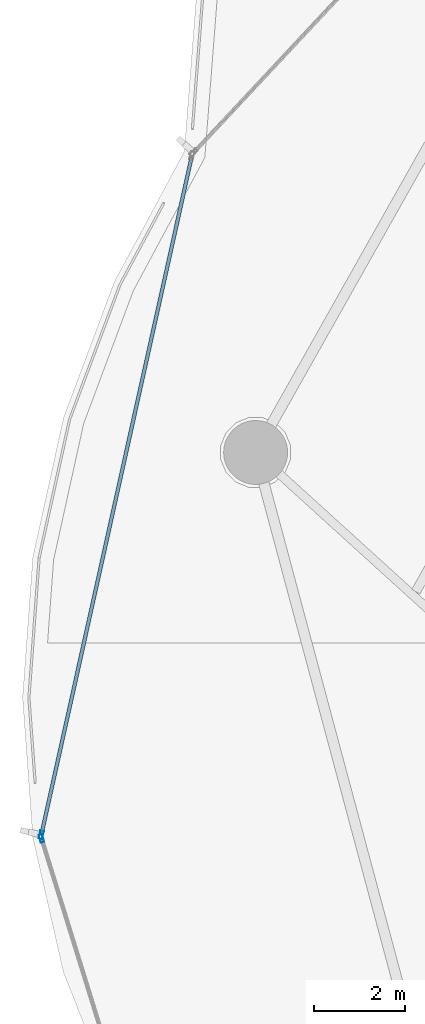
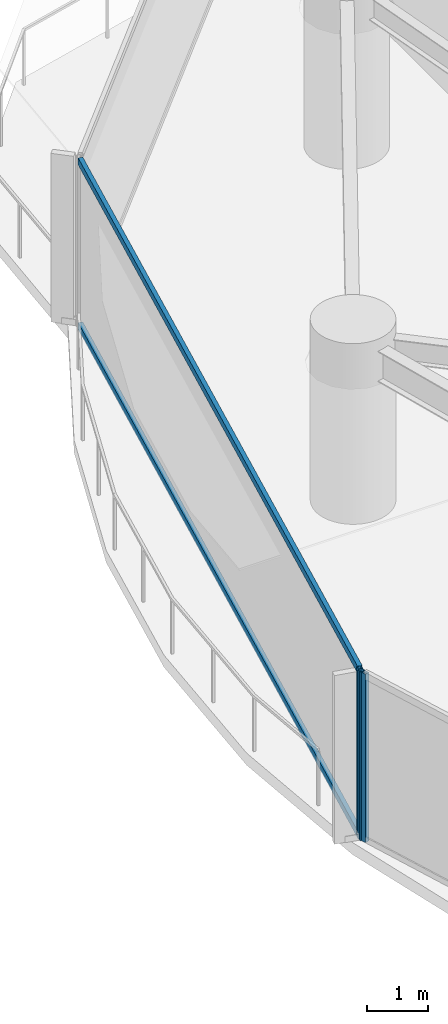
# One storey, part 8 of 33: 4 members, 2 elements without a shape of their own.
"""IFC4 building model written with IfcOpenShell, lengths in metres."""

from ifc_helpers import new_model, si_unit, direction, frame, origin, origin_2d, place, context, subcontext, project, spatial, hollow_rectangle, extrude, material, layer, layer_set, material_profile, profile_set, type_object, element, aggregate, save


model = new_model("IFC4")

# Units and contexts
model_context = context("Model", 3, precision=1e-05, world=origin(), true_north=direction((0.0, 1.0)))
body_context = subcontext(model_context, "Body", "Model", "MODEL_VIEW")
ifc_project = project(units=[si_unit("LENGTHUNIT", "METRE"), si_unit("AREAUNIT", "SQUARE_METRE"), si_unit("VOLUMEUNIT", "CUBIC_METRE"), si_unit("PLANEANGLEUNIT", "RADIAN"), si_unit("MASSUNIT", "GRAM", prefix="KILO")], contexts=[model_context])

# Site, building, storey
site_placement = place(None, origin())
site = spatial("IfcSite", under=ifc_project, at=site_placement, CompositionType="ELEMENT")
building_placement = place(site_placement, origin())
building = spatial("IfcBuilding", under=site, at=building_placement, Name="Kazevale Care Tower and Concert Hall", CompositionType="ELEMENT")
storey_placement = place(building_placement, frame((0.0, 0.0, 52.800048828125)))
storey = spatial("IfcBuildingStorey", under=building, at=storey_placement, Name="L13", CompositionType="ELEMENT", Elevation=52.800048828125)

# Curtain wall, member
ifc_material_1 = material(Name="Aluminium 6063-T6 and Low-E Glass", Category="aluminium")
ifc_layer = layer(ifc_material_1, 0.179931640625)
ifc_layer_set = layer_set([ifc_layer], Name="Aluminium 6063-T6 and Low-E Glass")
curtain_wall_type = type_object("IfcCurtainWallType", Name="Waist & Upper Residential Curtain Wall CW-4", PredefinedType="NOTDEFINED", material=ifc_layer_set)
curtain_wall_1_placement = place(storey_placement, origin())
curtain_wall_1 = element("IfcCurtainWall", 1, at=curtain_wall_1_placement, inside=storey, type_object=curtain_wall_type, Name="cw:L13:f12", PredefinedType="NOTDEFINED")
ifc_material_2 = material(Name="Aluminium 6063-T6", Category="aluminium")
ifc_material_profile_1 = material_profile(ifc_material_2, hollow_rectangle(XDim=0.080078125, YDim=0.179931640625, WallThickness=0.0048828125, at=origin_2d()), Name="ALU80x180x5")
ifc_profile_set_1 = profile_set([ifc_material_profile_1], Name="Aluminium 6063-T6")
member_type_1 = type_object("IfcMemberType", Name="CW-4 Mullion ALU80x180x5", PredefinedType="MULLION", material=ifc_profile_set_1)
member_1_placement = place(storey_placement, frame((9.61572265625, 34.919677734375, 0.0), z_axis=(0.0, 0.0, 1.0), x_axis=(-0.955157326175, -0.296098771112, 0.0)))
member_1 = element("IfcMember", 2, at=member_1_placement, type_object=member_type_1, Name="CW-4 mullion 2", PredefinedType="MULLION", context=body_context, shape_type="SweptSolid", body=[
    extrude(hollow_rectangle(XDim=0.080078125, YDim=0.179931640625, WallThickness=0.0048828125, at=origin_2d()), origin(), (0.0, 0.0, 1.0), 3.35986328125),
])
aggregate(curtain_wall_1, [member_1])

# Curtain wall, members
curtain_wall_2_placement = place(storey_placement, origin())
curtain_wall_2 = element("IfcCurtainWall", 3, at=curtain_wall_2_placement, inside=storey, type_object=curtain_wall_type, Name="cw:L13:f13", PredefinedType="NOTDEFINED")
member_2_placement = place(storey_placement, frame((9.612548828125, 34.9970703125, 0.0), z_axis=(0.0, 0.0, 1.0), x_axis=(-0.976291328475, 0.216460716862, 0.0)))
member_2 = element("IfcMember", 4, at=member_2_placement, type_object=member_type_1, Name="CW-4 mullion 1", PredefinedType="MULLION", context=body_context, shape_type="SweptSolid", body=[
    extrude(hollow_rectangle(XDim=0.080078125, YDim=0.179931640625, WallThickness=0.0048828125, at=origin_2d()), origin(), (0.0, 0.0, 1.0), 3.35986328125),
])
ifc_material_profile_2 = material_profile(ifc_material_2, hollow_rectangle(XDim=0.080078125, YDim=0.139892578125, WallThickness=0.00390625, at=origin_2d()), Name="ALU80x140x4")
ifc_profile_set_2 = profile_set([ifc_material_profile_2], Name="Aluminium 6063-T6")
member_type_2 = type_object("IfcMemberType", Name="CW-4 Transom ALU80x140x4", PredefinedType="USERDEFINED", material=ifc_profile_set_2)
member_3_placement = place(storey_placement, frame((9.621337890625, 35.0361328125, 0.0400390625), z_axis=(0.216465185417, 0.976290337708, 0.0), x_axis=(-0.976290337708, 0.216465185417, 0.0)))
member_3 = element("IfcMember", 5, at=member_3_placement, type_object=member_type_2, Name="CW-4 transom 1.1", ObjectType="TRANSOM", PredefinedType="USERDEFINED", context=body_context, shape_type="SweptSolid", body=[
    extrude(hollow_rectangle(XDim=0.080078125, YDim=0.139892578125, WallThickness=0.00390625, at=origin_2d()), origin(), (0.0, 0.0, 1.0), 15.16845703125),
])
member_4_placement = place(storey_placement, frame((9.621337890625, 35.0361328125, 3.320068359375), z_axis=(0.216465185417, 0.976290337708, 0.0), x_axis=(-0.976290337708, 0.216465185417, 0.0)))
member_4 = element("IfcMember", 6, at=member_4_placement, type_object=member_type_2, Name="CW-4 transom 1.2", ObjectType="TRANSOM", PredefinedType="USERDEFINED", context=body_context, shape_type="SweptSolid", body=[
    extrude(hollow_rectangle(XDim=0.080078125, YDim=0.139892578125, WallThickness=0.00390625, at=origin_2d()), origin(), (0.0, 0.0, 1.0), 15.16845703125),
])
aggregate(curtain_wall_2, [member_2, member_3, member_4])

save(model, "model.ifc")
